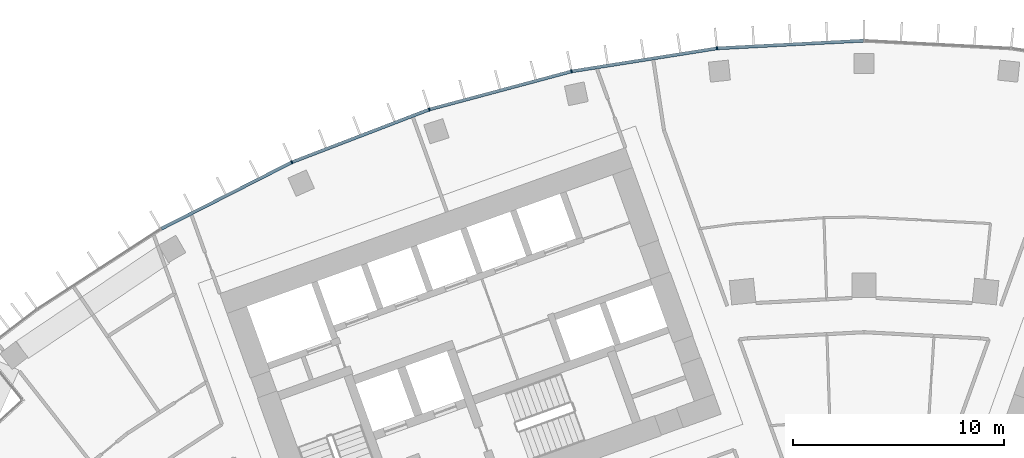
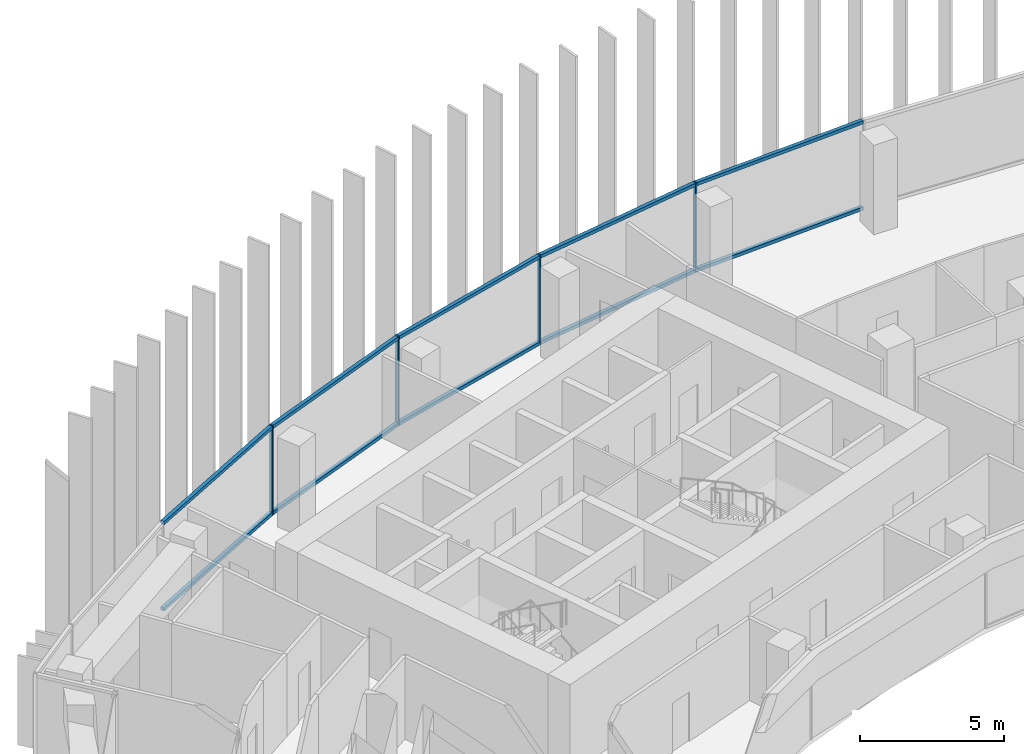
# One storey, part 6 of 20: 14 members, 1 element without a shape of its own.
"""IFC4 building model written with IfcOpenShell, lengths in metres."""

import ifcopenshell
import ifcopenshell.guid

model = None  # the IFC model being written
_history = None  # IfcOwnerHistory: only IFC2X3 demands one
_inside = {}  # id of a spatial element -> (the spatial element, [elements in it])
_under = {}  # id of a project, library or spatial element -> (it, [spatial elements below it])
_declared = {}  # id of a project -> (the project, [libraries it declares])
_typed = {}  # id of a type object -> (the type object, [elements of that type])
_made_of = {}  # id of a material, layer set ... -> (it, [elements and type objects made of it])


def new_model(schema):
    """Start an empty IFC model of exactly this schema.

    Asked for "IFC4X3", IfcOpenShell would pick the latest addendum, in which some entities
    have other attributes; the version numbers below select the first issue.
    IFC2X3 requires an IfcOwnerHistory on every rooted entity: one is made here for all.
    """
    global model, _history
    if schema == "IFC4X3":
        model = ifcopenshell.file(schema_version=(4, 3, 0, 0))
    else:
        model = ifcopenshell.file(schema=schema)
    _inside.clear()
    _under.clear()
    _declared.clear()
    _typed.clear()
    _made_of.clear()
    _history = None
    if model.schema == "IFC2X3":
        org = make("IfcOrganization", Name="unknown")
        user = make(
            "IfcPersonAndOrganization",
            ThePerson=make("IfcPerson", FamilyName="unknown"),
            TheOrganization=org,
        )
        app = make(
            "IfcApplication",
            ApplicationDeveloper=org,
            Version="unknown",
            ApplicationFullName="unknown",
            ApplicationIdentifier="unknown",
        )
        _history = make(
            "IfcOwnerHistory",
            OwningUser=user,
            OwningApplication=app,
            ChangeAction="ADDED",
            CreationDate=0,
        )
    return model


def make(cls, **values):
    """One entity of the class cls with the attributes given. An attribute that is None is left unset."""
    return model.create_entity(
        cls, **{name: value for name, value in values.items() if value is not None}
    )


def rooted(cls, **values):
    """An entity with a GlobalId (a new one), such as an element, a storey or a relation."""
    return make(cls, GlobalId=ifcopenshell.guid.new(), OwnerHistory=_history, **values)


def si_unit(unit_type, name, prefix=None):
    """IfcSIUnit, for example si_unit("LENGTHUNIT", "METRE", prefix="MILLI")."""
    return make("IfcSIUnit", UnitType=unit_type, Prefix=prefix, Name=name)


def assignment(units):
    """IfcUnitAssignment: the units of a project."""
    return None if units is None else make("IfcUnitAssignment", Units=units)


def point(xyz):
    """IfcCartesianPoint."""
    return None if xyz is None else make("IfcCartesianPoint", Coordinates=xyz)


def direction(xyz):
    """IfcDirection."""
    return None if xyz is None else make("IfcDirection", DirectionRatios=xyz)


def frame(location, z_axis=None, x_axis=None):
    """IfcAxis2Placement3D, a coordinate frame: its origin and axes. An axis left out is left unset."""
    return make(
        "IfcAxis2Placement3D",
        Location=point(location),
        Axis=direction(z_axis),
        RefDirection=direction(x_axis),
    )


def frame_2d(location, x_axis=None):
    """IfcAxis2Placement2D, a coordinate frame in the plane: its origin and x axis."""
    return make(
        "IfcAxis2Placement2D", Location=point(location), RefDirection=direction(x_axis)
    )


def origin():
    """The frame at (0, 0, 0) with its axes left unset."""
    return frame((0.0, 0.0, 0.0))


def origin_2d():
    """The frame at (0, 0) in the plane with its x axis left unset."""
    return frame_2d((0.0, 0.0))


def place(relative_to, where):
    """IfcLocalPlacement: puts the frame where relative to a parent placement (None: the world)."""
    return make(
        "IfcLocalPlacement", PlacementRelTo=relative_to, RelativePlacement=where
    )


def context(
    kind, dimensions, precision=None, world=None, true_north=None, identifier=None
):
    """IfcGeometricRepresentationContext, for example the 3D "Model" context."""
    return make(
        "IfcGeometricRepresentationContext",
        ContextIdentifier=identifier,
        ContextType=kind,
        CoordinateSpaceDimension=dimensions,
        Precision=precision,
        WorldCoordinateSystem=world,
        TrueNorth=true_north,
    )


def subcontext(parent, identifier, kind, view, scale=None):
    """IfcGeometricRepresentationSubContext, for example "Body" below "Model"."""
    return make(
        "IfcGeometricRepresentationSubContext",
        ContextIdentifier=identifier,
        ContextType=kind,
        ParentContext=parent,
        TargetScale=scale,
        TargetView=view,
    )


def project(units=None, contexts=None):
    """IfcProject with its units and contexts."""
    return rooted(
        "IfcProject",
        Name="project",
        RepresentationContexts=contexts,
        UnitsInContext=assignment(units),
    )


def spatial(cls, under=None, at=None, **own):
    """A site, building, storey or space (cls), placed at a placement, below another one or the project."""
    s = rooted(cls, ObjectPlacement=at, **own)
    if under is not None:
        _under.setdefault(under.id(), (under, []))[1].append(s)
    return s


def profile(cls, at=None, kind="AREA", **sizes):
    """A parametric profile (cls). Its sizes go by their IFC names, for example OverallWidth=200.0."""
    return make(cls, ProfileType=kind, Position=at, **sizes)


def rectangle(**sizes):
    """IfcRectangleProfileDef."""
    return profile("IfcRectangleProfileDef", **sizes)


def extrude(swept, where, along, depth):
    """IfcExtrudedAreaSolid: the profile swept, set in the frame where, extruded along a direction by depth."""
    return make(
        "IfcExtrudedAreaSolid",
        SweptArea=swept,
        Position=where,
        ExtrudedDirection=direction(along),
        Depth=depth,
    )


def shape(context_of_items, identifier, shape_type, items):
    """IfcShapeRepresentation: the items that make up one representation, for example the "Body"."""
    return make(
        "IfcShapeRepresentation",
        ContextOfItems=context_of_items,
        RepresentationIdentifier=identifier,
        RepresentationType=shape_type,
        Items=items,
    )


def material(Name=None, Category=None):
    """IfcMaterial."""
    return make("IfcMaterial", Name=Name, Category=Category)


def layer(
    of_material, thickness, ventilated=None, Name=None, Category=None, Priority=None
):
    """IfcMaterialLayer: one layer of a wall or slab, of a material (None: an air gap)."""
    return make(
        "IfcMaterialLayer",
        Material=of_material,
        LayerThickness=thickness,
        IsVentilated=ventilated,
        Name=Name,
        Category=Category,
        Priority=Priority,
    )


def layer_set(layers, Name=None):
    """IfcMaterialLayerSet."""
    return make("IfcMaterialLayerSet", MaterialLayers=layers, LayerSetName=Name)


def material_profile(
    of_material, cross_section, Name=None, Category=None, Priority=None
):
    """IfcMaterialProfile: a cross section and its material."""
    return make(
        "IfcMaterialProfile",
        Name=Name,
        Material=of_material,
        Profile=cross_section,
        Priority=Priority,
        Category=Category,
    )


def profile_set(profiles, Name=None, composite=None):
    """IfcMaterialProfileSet."""
    return make(
        "IfcMaterialProfileSet",
        Name=Name,
        MaterialProfiles=profiles,
        CompositeProfile=composite,
    )


def made_of(thing, what):
    """Note that an element or type object is made of a material, layer set ...; save() writes the relation."""
    if what is not None:
        _made_of.setdefault(what.id(), (what, []))[1].append(thing)
    return thing


def type_object(cls, material=None, **own):
    """A type object (cls), such as IfcWallType, which elements share."""
    return made_of(rooted(cls, **own), material)


def element(
    cls,
    number,
    at=None,
    inside=None,
    cuts=None,
    type_object=None,
    material=None,
    context=None,
    identifier="Body",
    shape_type=None,
    held_by="IfcProductDefinitionShape",
    body=None,
    shapes=None,
    **own,
):
    """One element of the class cls, such as IfcWall. Its Tag is "e" and its number.

    at: its placement. inside: the storey or other place that contains it. cuts: it is an
    opening in that element (IfcRelVoidsElement). A single representation is given by context,
    identifier, shape_type and body (its items); several are given by shapes. held_by: the class
    of the entity that holds the representations. save() writes the other relations.
    """
    e = rooted(cls, Tag="e%d" % number, ObjectPlacement=at, **own)
    if body is not None:
        shapes = [shape(context, identifier, shape_type, body)]
    if shapes is not None:
        e.Representation = make(held_by, Representations=shapes)
    if inside is not None:
        _inside.setdefault(inside.id(), (inside, []))[1].append(e)
    if cuts is not None:
        rooted(
            "IfcRelVoidsElement", RelatingBuildingElement=cuts, RelatedOpeningElement=e
        )
    if type_object is not None:
        _typed.setdefault(type_object.id(), (type_object, []))[1].append(e)
    return made_of(e, material)


def aggregate(whole, parts):
    """IfcRelAggregates: a whole, such as a stair, and the parts it consists of."""
    return rooted("IfcRelAggregates", RelatingObject=whole, RelatedObjects=parts)


def save(model, path):
    """Write the relations noted so far, then the file.

    IfcRelAggregates (storeys below a building ...), IfcRelContainedInSpatialStructure (elements
    in a storey), IfcRelDefinesByType, IfcRelAssociatesMaterial and IfcRelDeclares: one each for
    every whole, place, type object, material and project.
    """
    for whole, parts in _under.values():
        aggregate(whole, parts)
    for where, things in _inside.values():
        rooted(
            "IfcRelContainedInSpatialStructure",
            RelatedElements=things,
            RelatingStructure=where,
        )
    for kind, things in _typed.values():
        rooted("IfcRelDefinesByType", RelatedObjects=things, RelatingType=kind)
    for what, things in _made_of.values():
        rooted("IfcRelAssociatesMaterial", RelatedObjects=things, RelatingMaterial=what)
    for by, libraries in _declared.values():
        rooted("IfcRelDeclares", RelatingContext=by, RelatedDefinitions=libraries)
    model.write(path)


model = new_model("IFC4")

# Units and contexts
model_context = context("Model", 3, precision=1e-05, world=origin(), true_north=direction((0.0, 1.0)))
body_context = subcontext(model_context, "Body", "Model", "MODEL_VIEW")
ifc_project = project(units=[si_unit("LENGTHUNIT", "METRE"), si_unit("AREAUNIT", "SQUARE_METRE"), si_unit("VOLUMEUNIT", "CUBIC_METRE"), si_unit("PLANEANGLEUNIT", "RADIAN"), si_unit("MASSUNIT", "GRAM", prefix="KILO")], contexts=[model_context])

# Site, building, storey
site_placement = place(None, origin())
site = spatial("IfcSite", under=ifc_project, at=site_placement, CompositionType="ELEMENT")
building_placement = place(site_placement, origin())
building = spatial("IfcBuilding", under=site, at=building_placement, Name="Stone Belt Terrace Tower", CompositionType="ELEMENT")
storey_placement = place(building_placement, frame((0.0, 0.0, 212.39990234375)))
storey = spatial("IfcBuildingStorey", under=building, at=storey_placement, Name="L51", CompositionType="ELEMENT", Elevation=212.39990234375)

# Curtain wall, members
ifc_material = material(Name="Aluminium 6063-T6 anodised frame", Category="aluminium")
ifc_layer = layer(ifc_material, 0.14990234375)
ifc_layer_set = layer_set([ifc_layer], Name="CW-A unitised convex-face curtain wall")
curtain_wall_type = type_object("IfcCurtainWallType", Name="CW-A unitised convex-face curtain wall", PredefinedType="NOTDEFINED", material=ifc_layer_set)
curtain_wall_placement = place(storey_placement, origin())
curtain_wall = element("IfcCurtainWall", 1, at=curtain_wall_placement, inside=storey, type_object=curtain_wall_type, Name="CW-A convex face L51", PredefinedType="NOTDEFINED")
ifc_material_profile_1 = material_profile(ifc_material, rectangle(XDim=0.14990234375, YDim=0.06005859375, at=origin_2d()), Name="Aluminium 6063-T6 60x150")
ifc_profile_set_1 = profile_set([ifc_material_profile_1], Name="Aluminium 6063-T6 anodised frame")
member_type_1 = type_object("IfcMemberType", Name="CW-A mullion 60 x 150", PredefinedType="MULLION", material=ifc_profile_set_1)
member_1_placement = place(storey_placement, frame((-6.958984375, 66.21044921875, 0.0), z_axis=(0.0, 0.0, 1.0), x_axis=(0.104528463268, -0.994521895368, 0.0)))
member_1 = element("IfcMember", 2, at=member_1_placement, type_object=member_type_1, Name="CW-A mullion 10", PredefinedType="MULLION", context=body_context, shape_type="SweptSolid", body=[
    extrude(rectangle(XDim=0.14990234375, YDim=0.06005859375, at=origin_2d()), origin(), (0.0, 0.0, 1.0), 3.800048828125),
])
member_2_placement = place(storey_placement, frame((-13.841796875, 65.120361328125, 0.0), z_axis=(0.0, 0.0, 1.0), x_axis=(0.207911690818, -0.978147600734, 0.0)))
member_2 = element("IfcMember", 3, at=member_2_placement, type_object=member_type_1, Name="CW-A mullion 11", PredefinedType="MULLION", context=body_context, shape_type="SweptSolid", body=[
    extrude(rectangle(XDim=0.14990234375, YDim=0.06005859375, at=origin_2d()), origin(), (0.0, 0.0, 1.0), 3.800048828125),
])
member_3_placement = place(storey_placement, frame((-20.57275390625, 63.316650390625, 0.0), z_axis=(0.0, 0.0, 1.0), x_axis=(0.309016994375, -0.951056516295, 0.0)))
member_3 = element("IfcMember", 4, at=member_3_placement, type_object=member_type_1, Name="CW-A mullion 12", PredefinedType="MULLION", context=body_context, shape_type="SweptSolid", body=[
    extrude(rectangle(XDim=0.14990234375, YDim=0.06005859375, at=origin_2d()), origin(), (0.0, 0.0, 1.0), 3.800048828125),
])
member_4_placement = place(storey_placement, frame((-27.07861328125, 60.8193359375, 0.0), z_axis=(0.0, 0.0, 1.0), x_axis=(0.406736643076, -0.913545457643, 0.0)))
member_4 = element("IfcMember", 5, at=member_4_placement, type_object=member_type_1, Name="CW-A mullion 13", PredefinedType="MULLION", context=body_context, shape_type="SweptSolid", body=[
    extrude(rectangle(XDim=0.14990234375, YDim=0.06005859375, at=origin_2d()), origin(), (0.0, 0.0, 1.0), 3.800048828125),
])
ifc_material_profile_2 = material_profile(ifc_material, rectangle(XDim=0.14990234375, YDim=0.139892578125, at=origin_2d()), Name="Aluminium 6063-T6 150x140")
ifc_profile_set_2 = profile_set([ifc_material_profile_2], Name="Aluminium 6063-T6 anodised frame")
member_type_2 = type_object("IfcMemberType", Name="CW-A transom 140 x 150", PredefinedType="USERDEFINED", material=ifc_profile_set_2)
member_5_placement = place(storey_placement, frame((-0.033935546875, 66.5732421875, 0.070068359375), z_axis=(-0.998630019135, -0.052326712899, 0.0), x_axis=(0.052326712899, -0.998630019135, 0.0)))
member_5 = element("IfcMember", 6, at=member_5_placement, type_object=member_type_2, Name="CW-A transom 9.1", ObjectType="TRANSOM", PredefinedType="USERDEFINED", context=body_context, shape_type="SweptSolid", body=[
    extrude(rectangle(XDim=0.14990234375, YDim=0.139892578125, at=origin_2d()), origin(), (0.0, 0.0, 1.0), 6.900634765625),
])
member_6_placement = place(storey_placement, frame((-0.033935546875, 66.5732421875, 3.72998046875), z_axis=(-0.998630019135, -0.052326712899, 0.0), x_axis=(0.052326712899, -0.998630019135, 0.0)))
member_6 = element("IfcMember", 7, at=member_6_placement, type_object=member_type_2, Name="CW-A transom 9.2", ObjectType="TRANSOM", PredefinedType="USERDEFINED", context=body_context, shape_type="SweptSolid", body=[
    extrude(rectangle(XDim=0.14990234375, YDim=0.139892578125, at=origin_2d()), origin(), (0.0, 0.0, 1.0), 6.900634765625),
])
member_7_placement = place(storey_placement, frame((-6.992431640625, 66.205078125, 0.070068359375), z_axis=(-0.987687120531, -0.156442168027, 0.0), x_axis=(0.156442168027, -0.987687120531, 0.0)))
member_7 = element("IfcMember", 8, at=member_7_placement, type_object=member_type_2, Name="CW-A transom 10.1", ObjectType="TRANSOM", PredefinedType="USERDEFINED", context=body_context, shape_type="SweptSolid", body=[
    extrude(rectangle(XDim=0.14990234375, YDim=0.139892578125, at=origin_2d()), origin(), (0.0, 0.0, 1.0), 6.90087890625),
])
member_8_placement = place(storey_placement, frame((-6.992431640625, 66.205078125, 3.72998046875), z_axis=(-0.987687120531, -0.156442168027, 0.0), x_axis=(0.156442168027, -0.987687120531, 0.0)))
member_8 = element("IfcMember", 9, at=member_8_placement, type_object=member_type_2, Name="CW-A transom 10.2", ObjectType="TRANSOM", PredefinedType="USERDEFINED", context=body_context, shape_type="SweptSolid", body=[
    extrude(rectangle(XDim=0.14990234375, YDim=0.139892578125, at=origin_2d()), origin(), (0.0, 0.0, 1.0), 6.90087890625),
])
member_9_placement = place(storey_placement, frame((-13.87451171875, 65.111572265625, 0.070068359375), z_axis=(-0.965921835863, -0.258833937117, 0.0), x_axis=(0.258833937117, -0.965921835863, 0.0)))
member_9 = element("IfcMember", 10, at=member_9_placement, type_object=member_type_2, Name="CW-A transom 11.1", ObjectType="TRANSOM", PredefinedType="USERDEFINED", context=body_context, shape_type="SweptSolid", body=[
    extrude(rectangle(XDim=0.14990234375, YDim=0.139892578125, at=origin_2d()), origin(), (0.0, 0.0, 1.0), 6.900634765625),
])
member_10_placement = place(storey_placement, frame((-13.87451171875, 65.111572265625, 3.72998046875), z_axis=(-0.965921835863, -0.258833937117, 0.0), x_axis=(0.258833937117, -0.965921835863, 0.0)))
member_10 = element("IfcMember", 11, at=member_10_placement, type_object=member_type_2, Name="CW-A transom 11.2", ObjectType="TRANSOM", PredefinedType="USERDEFINED", context=body_context, shape_type="SweptSolid", body=[
    extrude(rectangle(XDim=0.14990234375, YDim=0.139892578125, at=origin_2d()), origin(), (0.0, 0.0, 1.0), 6.900634765625),
])
member_11_placement = place(storey_placement, frame((-20.6044921875, 63.304443359375, 0.070068359375), z_axis=(-0.933585210269, -0.358355487146, 0.0), x_axis=(0.358355487146, -0.933585210269, 0.0)))
member_11 = element("IfcMember", 12, at=member_11_placement, type_object=member_type_2, Name="CW-A transom 12.1", ObjectType="TRANSOM", PredefinedType="USERDEFINED", context=body_context, shape_type="SweptSolid", body=[
    extrude(rectangle(XDim=0.14990234375, YDim=0.139892578125, at=origin_2d()), origin(), (0.0, 0.0, 1.0), 6.900634765625),
])
member_12_placement = place(storey_placement, frame((-20.6044921875, 63.304443359375, 3.72998046875), z_axis=(-0.933585210269, -0.358355487146, 0.0), x_axis=(0.358355487146, -0.933585210269, 0.0)))
member_12 = element("IfcMember", 13, at=member_12_placement, type_object=member_type_2, Name="CW-A transom 12.2", ObjectType="TRANSOM", PredefinedType="USERDEFINED", context=body_context, shape_type="SweptSolid", body=[
    extrude(rectangle(XDim=0.14990234375, YDim=0.139892578125, at=origin_2d()), origin(), (0.0, 0.0, 1.0), 6.900634765625),
])
member_13_placement = place(storey_placement, frame((-27.108642578125, 60.803955078125, 0.070068359375), z_axis=(-0.891012226264, -0.453979308613, 0.0), x_axis=(0.453979308613, -0.891012226264, 0.0)))
member_13 = element("IfcMember", 14, at=member_13_placement, type_object=member_type_2, Name="CW-A transom 13.1", ObjectType="TRANSOM", PredefinedType="USERDEFINED", context=body_context, shape_type="SweptSolid", body=[
    extrude(rectangle(XDim=0.14990234375, YDim=0.139892578125, at=origin_2d()), origin(), (0.0, 0.0, 1.0), 6.90087890625),
])
member_14_placement = place(storey_placement, frame((-27.108642578125, 60.803955078125, 3.72998046875), z_axis=(-0.891012226264, -0.453979308613, 0.0), x_axis=(0.453979308613, -0.891012226264, 0.0)))
member_14 = element("IfcMember", 15, at=member_14_placement, type_object=member_type_2, Name="CW-A transom 13.2", ObjectType="TRANSOM", PredefinedType="USERDEFINED", context=body_context, shape_type="SweptSolid", body=[
    extrude(rectangle(XDim=0.14990234375, YDim=0.139892578125, at=origin_2d()), origin(), (0.0, 0.0, 1.0), 6.90087890625),
])
aggregate(curtain_wall, [member_1, member_2, member_3, member_4, member_5, member_6, member_7, member_8, member_9, member_10, member_11, member_12, member_13, member_14])

save(model, "model.ifc")
